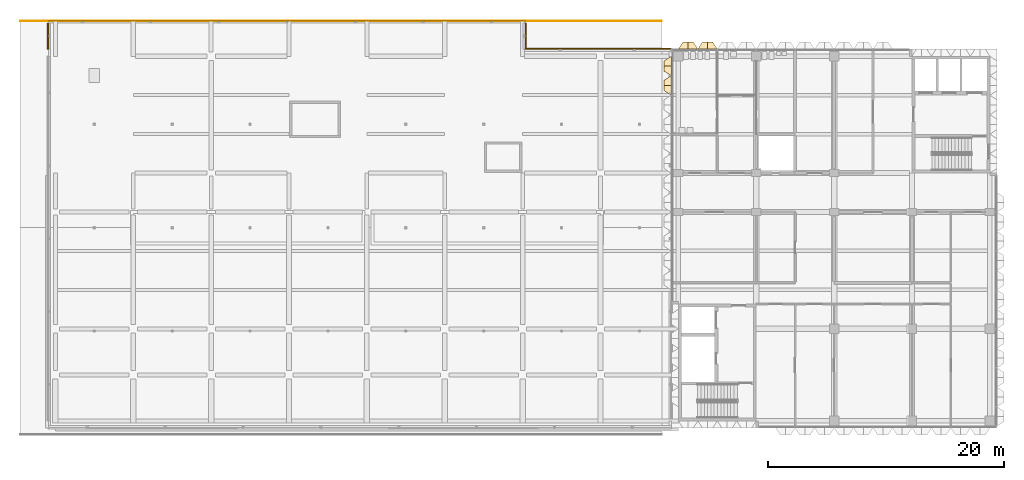
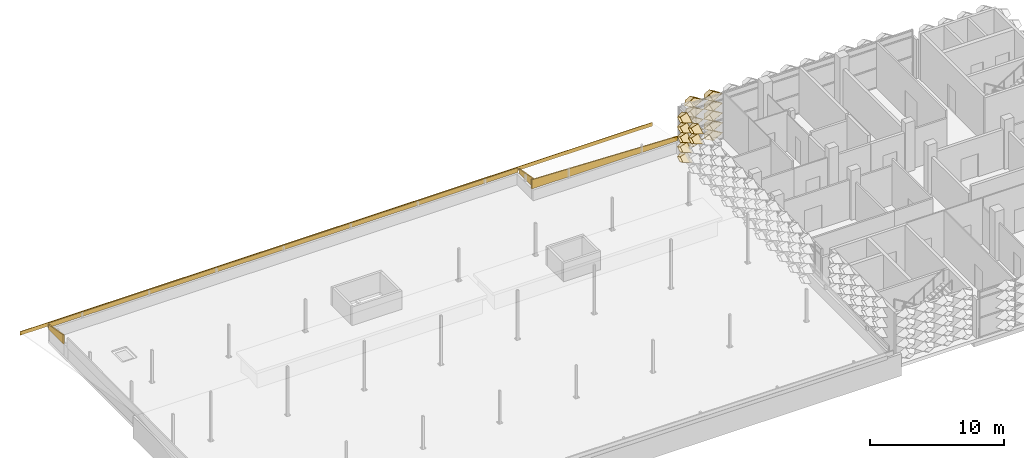
# One storey, part 27 of 39: 22 coverings.
"""IFC4 building model written with IfcOpenShell, lengths in metres."""

from ifc_helpers import new_model, entity, si_unit, direction, frame, frame_2d, origin, place, context, subcontext, project, spatial, polyline, rectangle, outline, extrude, material, layer, layer_set, type_object, element, save


model = new_model("IFC4")

# Units and contexts
model_context = context("Model", 3, precision=1e-05, world=origin(), true_north=direction((0.0, 1.0)))
body_context = subcontext(model_context, "Body", "Model", "MODEL_VIEW")
ifc_project = project(units=[si_unit("LENGTHUNIT", "METRE"), si_unit("AREAUNIT", "SQUARE_METRE"), si_unit("VOLUMEUNIT", "CUBIC_METRE"), si_unit("PLANEANGLEUNIT", "RADIAN"), si_unit("MASSUNIT", "GRAM", prefix="KILO")], contexts=[model_context])

# Site, building, storey
site_placement = place(None, origin())
site = spatial("IfcSite", under=ifc_project, at=site_placement, CompositionType="ELEMENT")
building_placement = place(site_placement, origin())
building = spatial("IfcBuilding", under=site, at=building_placement, Name="Lantern Court Research Institute", CompositionType="ELEMENT")
storey_placement = place(building_placement, frame((0.0, 0.0, 27.89990234375)))
storey = spatial("IfcBuildingStorey", under=building, at=storey_placement, Name="L06", CompositionType="ELEMENT", Elevation=27.89990234375)

# Coverings
ifc_material_1 = material(Name="Anodised aluminium", Category="aluminium")
ifc_layer_1 = layer(ifc_material_1, 0.01611328125)
ifc_layer_set_1 = layer_set([ifc_layer_1], Name="Anodised aluminium")
covering_type_1 = type_object("IfcCoveringType", Name="Fin cassette 1650 x 900 x 600 aluminium", PredefinedType="CLADDING", material=ifc_layer_set_1)
covering_1_placement = place(storey_placement, frame((53.625, 23.699951171875, 0.4501953125), z_axis=(0.0, 1.0, 0.0), x_axis=(-1.0, 0.0, 0.0)))
cartesian_point_1 = entity("IfcCartesianPoint", [0.824951171875, 0.0])
cartesian_point_2 = entity("IfcCartesianPoint", [0.79150390625, 0.0])
cartesian_point_3 = entity("IfcCartesianPoint", [0.44189453125, 0.0])
cartesian_point_4 = entity("IfcCartesianPoint", [0.43359375, 0.0])
element("IfcCovering", 1, at=covering_1_placement, inside=storey, type_object=covering_type_1, Name="Fin cassette V5N-L06 1.33", PredefinedType="CLADDING", context=body_context, shape_type="SweptSolid", body=[
    entity("IfcExtrudedAreaSolidTapered", entity("IfcArbitraryProfileDefWithVoids", "AREA", None, entity("IfcPolyline", [cartesian_point_1, entity("IfcCartesianPoint", [0.0, 0.449951171875]), entity("IfcCartesianPoint", [-0.824951171875, 0.0]), entity("IfcCartesianPoint", [0.0, -0.449951171875]), cartesian_point_1]), [entity("IfcPolyline", [cartesian_point_2, entity("IfcCartesianPoint", [0.0, 0.431884765625]), entity("IfcCartesianPoint", [-0.79150390625, 0.0]), entity("IfcCartesianPoint", [0.0, -0.431884765625]), cartesian_point_2])]), entity("IfcAxis2Placement3D", entity("IfcCartesianPoint", [0.0, 0.0, 0.0])), entity("IfcDirection", [0.0, 0.0, 1.0]), 0.60009765625, entity("IfcArbitraryProfileDefWithVoids", "AREA", None, entity("IfcPolyline", [cartesian_point_3, entity("IfcCartesianPoint", [0.0, 0.240966796875]), entity("IfcCartesianPoint", [-0.44189453125, 0.0]), entity("IfcCartesianPoint", [0.0, -0.240966796875]), cartesian_point_3]), [entity("IfcPolyline", [cartesian_point_4, entity("IfcCartesianPoint", [0.0, 0.236572265625]), entity("IfcCartesianPoint", [-0.43359375, 0.0]), entity("IfcCartesianPoint", [0.0, -0.236572265625]), cartesian_point_4])])),
])
covering_2_placement = place(storey_placement, frame((55.27490234375, 23.699951171875, 0.4501953125), z_axis=(0.0, 1.0, 0.0), x_axis=(-1.0, 0.0, 0.0)))
cartesian_point_5 = entity("IfcCartesianPoint", [0.824951171875, 0.0])
cartesian_point_6 = entity("IfcCartesianPoint", [0.79150390625, 0.0])
cartesian_point_7 = entity("IfcCartesianPoint", [0.44189453125, 0.0])
cartesian_point_8 = entity("IfcCartesianPoint", [0.43359375, 0.0])
element("IfcCovering", 2, at=covering_2_placement, inside=storey, type_object=covering_type_1, Name="Fin cassette V5N-L06 1.34", PredefinedType="CLADDING", context=body_context, shape_type="SweptSolid", body=[
    entity("IfcExtrudedAreaSolidTapered", entity("IfcArbitraryProfileDefWithVoids", "AREA", None, entity("IfcPolyline", [cartesian_point_5, entity("IfcCartesianPoint", [0.0, 0.449951171875]), entity("IfcCartesianPoint", [-0.824951171875, 0.0]), entity("IfcCartesianPoint", [0.0, -0.449951171875]), cartesian_point_5]), [entity("IfcPolyline", [cartesian_point_6, entity("IfcCartesianPoint", [0.0, 0.431884765625]), entity("IfcCartesianPoint", [-0.79150390625, 0.0]), entity("IfcCartesianPoint", [0.0, -0.431884765625]), cartesian_point_6])]), entity("IfcAxis2Placement3D", entity("IfcCartesianPoint", [0.0, 0.0, 0.0])), entity("IfcDirection", [0.0, 0.0, 1.0]), 0.60009765625, entity("IfcArbitraryProfileDefWithVoids", "AREA", None, entity("IfcPolyline", [cartesian_point_7, entity("IfcCartesianPoint", [0.0, 0.240966796875]), entity("IfcCartesianPoint", [-0.44189453125, 0.0]), entity("IfcCartesianPoint", [0.0, -0.240966796875]), cartesian_point_7]), [entity("IfcPolyline", [cartesian_point_8, entity("IfcCartesianPoint", [0.0, 0.236572265625]), entity("IfcCartesianPoint", [-0.43359375, 0.0]), entity("IfcCartesianPoint", [0.0, -0.236572265625]), cartesian_point_8])])),
])
covering_3_placement = place(storey_placement, frame((53.625, 23.699951171875, 1.35009765625), z_axis=(0.0, 1.0, 0.0), x_axis=(-1.0, 0.0, 0.0)))
cartesian_point_9 = entity("IfcCartesianPoint", [0.824951171875, 0.0])
cartesian_point_10 = entity("IfcCartesianPoint", [0.79150390625, 0.0])
cartesian_point_11 = entity("IfcCartesianPoint", [0.44189453125, 0.0])
cartesian_point_12 = entity("IfcCartesianPoint", [0.43359375, 0.0])
element("IfcCovering", 3, at=covering_3_placement, inside=storey, type_object=covering_type_1, Name="Fin cassette V5N-L06 2.33", PredefinedType="CLADDING", context=body_context, shape_type="SweptSolid", body=[
    entity("IfcExtrudedAreaSolidTapered", entity("IfcArbitraryProfileDefWithVoids", "AREA", None, entity("IfcPolyline", [cartesian_point_9, entity("IfcCartesianPoint", [0.0, 0.449951171875]), entity("IfcCartesianPoint", [-0.824951171875, 0.0]), entity("IfcCartesianPoint", [0.0, -0.449951171875]), cartesian_point_9]), [entity("IfcPolyline", [cartesian_point_10, entity("IfcCartesianPoint", [0.0, 0.431884765625]), entity("IfcCartesianPoint", [-0.79150390625, 0.0]), entity("IfcCartesianPoint", [0.0, -0.431884765625]), cartesian_point_10])]), entity("IfcAxis2Placement3D", entity("IfcCartesianPoint", [0.0, 0.0, 0.0])), entity("IfcDirection", [0.0, 0.0, 1.0]), 0.60009765625, entity("IfcArbitraryProfileDefWithVoids", "AREA", None, entity("IfcPolyline", [cartesian_point_11, entity("IfcCartesianPoint", [0.0, 0.240966796875]), entity("IfcCartesianPoint", [-0.44189453125, 0.0]), entity("IfcCartesianPoint", [0.0, -0.240966796875]), cartesian_point_11]), [entity("IfcPolyline", [cartesian_point_12, entity("IfcCartesianPoint", [0.0, 0.236572265625]), entity("IfcCartesianPoint", [-0.43359375, 0.0]), entity("IfcCartesianPoint", [0.0, -0.236572265625]), cartesian_point_12])])),
])
covering_4_placement = place(storey_placement, frame((55.27490234375, 23.699951171875, 1.35009765625), z_axis=(0.0, 1.0, 0.0), x_axis=(-1.0, 0.0, 0.0)))
cartesian_point_13 = entity("IfcCartesianPoint", [0.824951171875, 0.0])
cartesian_point_14 = entity("IfcCartesianPoint", [0.79150390625, 0.0])
cartesian_point_15 = entity("IfcCartesianPoint", [0.44189453125, 0.0])
cartesian_point_16 = entity("IfcCartesianPoint", [0.43359375, 0.0])
element("IfcCovering", 4, at=covering_4_placement, inside=storey, type_object=covering_type_1, Name="Fin cassette V5N-L06 2.34", PredefinedType="CLADDING", context=body_context, shape_type="SweptSolid", body=[
    entity("IfcExtrudedAreaSolidTapered", entity("IfcArbitraryProfileDefWithVoids", "AREA", None, entity("IfcPolyline", [cartesian_point_13, entity("IfcCartesianPoint", [0.0, 0.449951171875]), entity("IfcCartesianPoint", [-0.824951171875, 0.0]), entity("IfcCartesianPoint", [0.0, -0.449951171875]), cartesian_point_13]), [entity("IfcPolyline", [cartesian_point_14, entity("IfcCartesianPoint", [0.0, 0.431884765625]), entity("IfcCartesianPoint", [-0.79150390625, 0.0]), entity("IfcCartesianPoint", [0.0, -0.431884765625]), cartesian_point_14])]), entity("IfcAxis2Placement3D", entity("IfcCartesianPoint", [0.0, 0.0, 0.0])), entity("IfcDirection", [0.0, 0.0, 1.0]), 0.60009765625, entity("IfcArbitraryProfileDefWithVoids", "AREA", None, entity("IfcPolyline", [cartesian_point_15, entity("IfcCartesianPoint", [0.0, 0.240966796875]), entity("IfcCartesianPoint", [-0.44189453125, 0.0]), entity("IfcCartesianPoint", [0.0, -0.240966796875]), cartesian_point_15]), [entity("IfcPolyline", [cartesian_point_16, entity("IfcCartesianPoint", [0.0, 0.236572265625]), entity("IfcCartesianPoint", [-0.43359375, 0.0]), entity("IfcCartesianPoint", [0.0, -0.236572265625]), cartesian_point_16])])),
])
covering_5_placement = place(storey_placement, frame((53.625, 23.699951171875, 2.25), z_axis=(0.0, 1.0, 0.0), x_axis=(-1.0, 0.0, 0.0)))
cartesian_point_17 = entity("IfcCartesianPoint", [0.824951171875, 0.0])
cartesian_point_18 = entity("IfcCartesianPoint", [0.79150390625, 0.0])
cartesian_point_19 = entity("IfcCartesianPoint", [0.44189453125, 0.0])
cartesian_point_20 = entity("IfcCartesianPoint", [0.43359375, 0.0])
element("IfcCovering", 5, at=covering_5_placement, inside=storey, type_object=covering_type_1, Name="Fin cassette V5N-L06 3.33", PredefinedType="CLADDING", context=body_context, shape_type="SweptSolid", body=[
    entity("IfcExtrudedAreaSolidTapered", entity("IfcArbitraryProfileDefWithVoids", "AREA", None, entity("IfcPolyline", [cartesian_point_17, entity("IfcCartesianPoint", [0.0, 0.449951171875]), entity("IfcCartesianPoint", [-0.824951171875, 0.0]), entity("IfcCartesianPoint", [0.0, -0.449951171875]), cartesian_point_17]), [entity("IfcPolyline", [cartesian_point_18, entity("IfcCartesianPoint", [0.0, 0.431884765625]), entity("IfcCartesianPoint", [-0.79150390625, 0.0]), entity("IfcCartesianPoint", [0.0, -0.431884765625]), cartesian_point_18])]), entity("IfcAxis2Placement3D", entity("IfcCartesianPoint", [0.0, 0.0, 0.0])), entity("IfcDirection", [0.0, 0.0, 1.0]), 0.60009765625, entity("IfcArbitraryProfileDefWithVoids", "AREA", None, entity("IfcPolyline", [cartesian_point_19, entity("IfcCartesianPoint", [0.0, 0.240966796875]), entity("IfcCartesianPoint", [-0.44189453125, 0.0]), entity("IfcCartesianPoint", [0.0, -0.240966796875]), cartesian_point_19]), [entity("IfcPolyline", [cartesian_point_20, entity("IfcCartesianPoint", [0.0, 0.236572265625]), entity("IfcCartesianPoint", [-0.43359375, 0.0]), entity("IfcCartesianPoint", [0.0, -0.236572265625]), cartesian_point_20])])),
])
covering_6_placement = place(storey_placement, frame((55.27490234375, 23.699951171875, 2.25), z_axis=(0.0, 1.0, 0.0), x_axis=(-1.0, 0.0, 0.0)))
cartesian_point_21 = entity("IfcCartesianPoint", [0.824951171875, 0.0])
cartesian_point_22 = entity("IfcCartesianPoint", [0.79150390625, 0.0])
cartesian_point_23 = entity("IfcCartesianPoint", [0.44189453125, 0.0])
cartesian_point_24 = entity("IfcCartesianPoint", [0.43359375, 0.0])
element("IfcCovering", 6, at=covering_6_placement, inside=storey, type_object=covering_type_1, Name="Fin cassette V5N-L06 3.34", PredefinedType="CLADDING", context=body_context, shape_type="SweptSolid", body=[
    entity("IfcExtrudedAreaSolidTapered", entity("IfcArbitraryProfileDefWithVoids", "AREA", None, entity("IfcPolyline", [cartesian_point_21, entity("IfcCartesianPoint", [0.0, 0.449951171875]), entity("IfcCartesianPoint", [-0.824951171875, 0.0]), entity("IfcCartesianPoint", [0.0, -0.449951171875]), cartesian_point_21]), [entity("IfcPolyline", [cartesian_point_22, entity("IfcCartesianPoint", [0.0, 0.431884765625]), entity("IfcCartesianPoint", [-0.79150390625, 0.0]), entity("IfcCartesianPoint", [0.0, -0.431884765625]), cartesian_point_22])]), entity("IfcAxis2Placement3D", entity("IfcCartesianPoint", [0.0, 0.0, 0.0])), entity("IfcDirection", [0.0, 0.0, 1.0]), 0.60009765625, entity("IfcArbitraryProfileDefWithVoids", "AREA", None, entity("IfcPolyline", [cartesian_point_23, entity("IfcCartesianPoint", [0.0, 0.240966796875]), entity("IfcCartesianPoint", [-0.44189453125, 0.0]), entity("IfcCartesianPoint", [0.0, -0.240966796875]), cartesian_point_23]), [entity("IfcPolyline", [cartesian_point_24, entity("IfcCartesianPoint", [0.0, 0.236572265625]), entity("IfcCartesianPoint", [-0.43359375, 0.0]), entity("IfcCartesianPoint", [0.0, -0.236572265625]), cartesian_point_24])])),
])
covering_7_placement = place(storey_placement, frame((53.625, 23.699951171875, 3.150146484375), z_axis=(0.0, 1.0, 0.0), x_axis=(-1.0, 0.0, 0.0)))
cartesian_point_25 = entity("IfcCartesianPoint", [0.824951171875, 0.0])
cartesian_point_26 = entity("IfcCartesianPoint", [0.79150390625, 0.0])
cartesian_point_27 = entity("IfcCartesianPoint", [0.44189453125, 0.0])
cartesian_point_28 = entity("IfcCartesianPoint", [0.43359375, 0.0])
element("IfcCovering", 7, at=covering_7_placement, inside=storey, type_object=covering_type_1, Name="Fin cassette V5N-L06 4.33", PredefinedType="CLADDING", context=body_context, shape_type="SweptSolid", body=[
    entity("IfcExtrudedAreaSolidTapered", entity("IfcArbitraryProfileDefWithVoids", "AREA", None, entity("IfcPolyline", [cartesian_point_25, entity("IfcCartesianPoint", [0.0, 0.449951171875]), entity("IfcCartesianPoint", [-0.824951171875, 0.0]), entity("IfcCartesianPoint", [0.0, -0.449951171875]), cartesian_point_25]), [entity("IfcPolyline", [cartesian_point_26, entity("IfcCartesianPoint", [0.0, 0.431884765625]), entity("IfcCartesianPoint", [-0.79150390625, 0.0]), entity("IfcCartesianPoint", [0.0, -0.431884765625]), cartesian_point_26])]), entity("IfcAxis2Placement3D", entity("IfcCartesianPoint", [0.0, 0.0, 0.0])), entity("IfcDirection", [0.0, 0.0, 1.0]), 0.60009765625, entity("IfcArbitraryProfileDefWithVoids", "AREA", None, entity("IfcPolyline", [cartesian_point_27, entity("IfcCartesianPoint", [0.0, 0.240966796875]), entity("IfcCartesianPoint", [-0.44189453125, 0.0]), entity("IfcCartesianPoint", [0.0, -0.240966796875]), cartesian_point_27]), [entity("IfcPolyline", [cartesian_point_28, entity("IfcCartesianPoint", [0.0, 0.236572265625]), entity("IfcCartesianPoint", [-0.43359375, 0.0]), entity("IfcCartesianPoint", [0.0, -0.236572265625]), cartesian_point_28])])),
])
covering_8_placement = place(storey_placement, frame((55.27490234375, 23.699951171875, 3.150146484375), z_axis=(0.0, 1.0, 0.0), x_axis=(-1.0, 0.0, 0.0)))
cartesian_point_29 = entity("IfcCartesianPoint", [0.824951171875, 0.0])
cartesian_point_30 = entity("IfcCartesianPoint", [0.79150390625, 0.0])
cartesian_point_31 = entity("IfcCartesianPoint", [0.44189453125, 0.0])
cartesian_point_32 = entity("IfcCartesianPoint", [0.43359375, 0.0])
element("IfcCovering", 8, at=covering_8_placement, inside=storey, type_object=covering_type_1, Name="Fin cassette V5N-L06 4.34", PredefinedType="CLADDING", context=body_context, shape_type="SweptSolid", body=[
    entity("IfcExtrudedAreaSolidTapered", entity("IfcArbitraryProfileDefWithVoids", "AREA", None, entity("IfcPolyline", [cartesian_point_29, entity("IfcCartesianPoint", [0.0, 0.449951171875]), entity("IfcCartesianPoint", [-0.824951171875, 0.0]), entity("IfcCartesianPoint", [0.0, -0.449951171875]), cartesian_point_29]), [entity("IfcPolyline", [cartesian_point_30, entity("IfcCartesianPoint", [0.0, 0.431884765625]), entity("IfcCartesianPoint", [-0.79150390625, 0.0]), entity("IfcCartesianPoint", [0.0, -0.431884765625]), cartesian_point_30])]), entity("IfcAxis2Placement3D", entity("IfcCartesianPoint", [0.0, 0.0, 0.0])), entity("IfcDirection", [0.0, 0.0, 1.0]), 0.60009765625, entity("IfcArbitraryProfileDefWithVoids", "AREA", None, entity("IfcPolyline", [cartesian_point_31, entity("IfcCartesianPoint", [0.0, 0.240966796875]), entity("IfcCartesianPoint", [-0.44189453125, 0.0]), entity("IfcCartesianPoint", [0.0, -0.240966796875]), cartesian_point_31]), [entity("IfcPolyline", [cartesian_point_32, entity("IfcCartesianPoint", [0.0, 0.236572265625]), entity("IfcCartesianPoint", [-0.43359375, 0.0]), entity("IfcCartesianPoint", [0.0, -0.236572265625]), cartesian_point_32])])),
])
covering_9_placement = place(storey_placement, frame((53.625, 23.699951171875, 4.050048828125), z_axis=(0.0, 1.0, 0.0), x_axis=(-1.0, 0.0, 0.0)))
cartesian_point_33 = entity("IfcCartesianPoint", [0.824951171875, 0.0])
cartesian_point_34 = entity("IfcCartesianPoint", [0.79150390625, 0.0])
cartesian_point_35 = entity("IfcCartesianPoint", [0.44189453125, 0.0])
cartesian_point_36 = entity("IfcCartesianPoint", [0.43359375, 0.0])
element("IfcCovering", 9, at=covering_9_placement, inside=storey, type_object=covering_type_1, Name="Fin cassette V5N-L06 5.33", PredefinedType="CLADDING", context=body_context, shape_type="SweptSolid", body=[
    entity("IfcExtrudedAreaSolidTapered", entity("IfcArbitraryProfileDefWithVoids", "AREA", None, entity("IfcPolyline", [cartesian_point_33, entity("IfcCartesianPoint", [0.0, 0.449951171875]), entity("IfcCartesianPoint", [-0.824951171875, 0.0]), entity("IfcCartesianPoint", [0.0, -0.449951171875]), cartesian_point_33]), [entity("IfcPolyline", [cartesian_point_34, entity("IfcCartesianPoint", [0.0, 0.431884765625]), entity("IfcCartesianPoint", [-0.79150390625, 0.0]), entity("IfcCartesianPoint", [0.0, -0.431884765625]), cartesian_point_34])]), entity("IfcAxis2Placement3D", entity("IfcCartesianPoint", [0.0, 0.0, 0.0])), entity("IfcDirection", [0.0, 0.0, 1.0]), 0.60009765625, entity("IfcArbitraryProfileDefWithVoids", "AREA", None, entity("IfcPolyline", [cartesian_point_35, entity("IfcCartesianPoint", [0.0, 0.240966796875]), entity("IfcCartesianPoint", [-0.44189453125, 0.0]), entity("IfcCartesianPoint", [0.0, -0.240966796875]), cartesian_point_35]), [entity("IfcPolyline", [cartesian_point_36, entity("IfcCartesianPoint", [0.0, 0.236572265625]), entity("IfcCartesianPoint", [-0.43359375, 0.0]), entity("IfcCartesianPoint", [0.0, -0.236572265625]), cartesian_point_36])])),
])
covering_10_placement = place(storey_placement, frame((55.27490234375, 23.699951171875, 4.050048828125), z_axis=(0.0, 1.0, 0.0), x_axis=(-1.0, 0.0, 0.0)))
cartesian_point_37 = entity("IfcCartesianPoint", [0.824951171875, 0.0])
cartesian_point_38 = entity("IfcCartesianPoint", [0.79150390625, 0.0])
cartesian_point_39 = entity("IfcCartesianPoint", [0.44189453125, 0.0])
cartesian_point_40 = entity("IfcCartesianPoint", [0.43359375, 0.0])
element("IfcCovering", 10, at=covering_10_placement, inside=storey, type_object=covering_type_1, Name="Fin cassette V5N-L06 5.34", PredefinedType="CLADDING", context=body_context, shape_type="SweptSolid", body=[
    entity("IfcExtrudedAreaSolidTapered", entity("IfcArbitraryProfileDefWithVoids", "AREA", None, entity("IfcPolyline", [cartesian_point_37, entity("IfcCartesianPoint", [0.0, 0.449951171875]), entity("IfcCartesianPoint", [-0.824951171875, 0.0]), entity("IfcCartesianPoint", [0.0, -0.449951171875]), cartesian_point_37]), [entity("IfcPolyline", [cartesian_point_38, entity("IfcCartesianPoint", [0.0, 0.431884765625]), entity("IfcCartesianPoint", [-0.79150390625, 0.0]), entity("IfcCartesianPoint", [0.0, -0.431884765625]), cartesian_point_38])]), entity("IfcAxis2Placement3D", entity("IfcCartesianPoint", [0.0, 0.0, 0.0])), entity("IfcDirection", [0.0, 0.0, 1.0]), 0.60009765625, entity("IfcArbitraryProfileDefWithVoids", "AREA", None, entity("IfcPolyline", [cartesian_point_39, entity("IfcCartesianPoint", [0.0, 0.240966796875]), entity("IfcCartesianPoint", [-0.44189453125, 0.0]), entity("IfcCartesianPoint", [0.0, -0.240966796875]), cartesian_point_39]), [entity("IfcPolyline", [cartesian_point_40, entity("IfcCartesianPoint", [0.0, 0.236572265625]), entity("IfcCartesianPoint", [-0.43359375, 0.0]), entity("IfcCartesianPoint", [0.0, -0.236572265625]), cartesian_point_40])])),
])
covering_11_placement = place(storey_placement, frame((52.199951171875, 22.27490234375, 0.4501953125), z_axis=(-1.0, 0.0, 0.0), x_axis=(0.0, -1.0, 0.0)))
cartesian_point_41 = entity("IfcCartesianPoint", [0.824951171875, 0.0])
cartesian_point_42 = entity("IfcCartesianPoint", [0.79150390625, 0.0])
cartesian_point_43 = entity("IfcCartesianPoint", [0.44189453125, 0.0])
cartesian_point_44 = entity("IfcCartesianPoint", [0.43359375, 0.0])
element("IfcCovering", 11, at=covering_11_placement, inside=storey, type_object=covering_type_1, Name="Fin cassette V5W-L06 1.14", PredefinedType="CLADDING", context=body_context, shape_type="SweptSolid", body=[
    entity("IfcExtrudedAreaSolidTapered", entity("IfcArbitraryProfileDefWithVoids", "AREA", None, entity("IfcPolyline", [cartesian_point_41, entity("IfcCartesianPoint", [0.0, 0.449951171875]), entity("IfcCartesianPoint", [-0.824951171875, 0.0]), entity("IfcCartesianPoint", [0.0, -0.449951171875]), cartesian_point_41]), [entity("IfcPolyline", [cartesian_point_42, entity("IfcCartesianPoint", [0.0, 0.431884765625]), entity("IfcCartesianPoint", [-0.79150390625, 0.0]), entity("IfcCartesianPoint", [0.0, -0.431884765625]), cartesian_point_42])]), entity("IfcAxis2Placement3D", entity("IfcCartesianPoint", [0.0, 0.0, 0.0])), entity("IfcDirection", [0.0, 0.0, 1.0]), 0.60009765625, entity("IfcArbitraryProfileDefWithVoids", "AREA", None, entity("IfcPolyline", [cartesian_point_43, entity("IfcCartesianPoint", [0.0, 0.240966796875]), entity("IfcCartesianPoint", [-0.44189453125, 0.0]), entity("IfcCartesianPoint", [0.0, -0.240966796875]), cartesian_point_43]), [entity("IfcPolyline", [cartesian_point_44, entity("IfcCartesianPoint", [0.0, 0.236572265625]), entity("IfcCartesianPoint", [-0.43359375, 0.0]), entity("IfcCartesianPoint", [0.0, -0.236572265625]), cartesian_point_44])])),
])
covering_12_placement = place(storey_placement, frame((52.199951171875, 22.27490234375, 1.35009765625), z_axis=(-1.0, 0.0, 0.0), x_axis=(0.0, -1.0, 0.0)))
cartesian_point_45 = entity("IfcCartesianPoint", [0.824951171875, 0.0])
cartesian_point_46 = entity("IfcCartesianPoint", [0.79150390625, 0.0])
cartesian_point_47 = entity("IfcCartesianPoint", [0.44189453125, 0.0])
cartesian_point_48 = entity("IfcCartesianPoint", [0.43359375, 0.0])
element("IfcCovering", 12, at=covering_12_placement, inside=storey, type_object=covering_type_1, Name="Fin cassette V5W-L06 2.14", PredefinedType="CLADDING", context=body_context, shape_type="SweptSolid", body=[
    entity("IfcExtrudedAreaSolidTapered", entity("IfcArbitraryProfileDefWithVoids", "AREA", None, entity("IfcPolyline", [cartesian_point_45, entity("IfcCartesianPoint", [0.0, 0.449951171875]), entity("IfcCartesianPoint", [-0.824951171875, 0.0]), entity("IfcCartesianPoint", [0.0, -0.449951171875]), cartesian_point_45]), [entity("IfcPolyline", [cartesian_point_46, entity("IfcCartesianPoint", [0.0, 0.431884765625]), entity("IfcCartesianPoint", [-0.79150390625, 0.0]), entity("IfcCartesianPoint", [0.0, -0.431884765625]), cartesian_point_46])]), entity("IfcAxis2Placement3D", entity("IfcCartesianPoint", [0.0, 0.0, 0.0])), entity("IfcDirection", [0.0, 0.0, 1.0]), 0.60009765625, entity("IfcArbitraryProfileDefWithVoids", "AREA", None, entity("IfcPolyline", [cartesian_point_47, entity("IfcCartesianPoint", [0.0, 0.240966796875]), entity("IfcCartesianPoint", [-0.44189453125, 0.0]), entity("IfcCartesianPoint", [0.0, -0.240966796875]), cartesian_point_47]), [entity("IfcPolyline", [cartesian_point_48, entity("IfcCartesianPoint", [0.0, 0.236572265625]), entity("IfcCartesianPoint", [-0.43359375, 0.0]), entity("IfcCartesianPoint", [0.0, -0.236572265625]), cartesian_point_48])])),
])
covering_13_placement = place(storey_placement, frame((52.199951171875, 22.27490234375, 2.25), z_axis=(-1.0, 0.0, 0.0), x_axis=(0.0, -1.0, 0.0)))
cartesian_point_49 = entity("IfcCartesianPoint", [0.824951171875, 0.0])
cartesian_point_50 = entity("IfcCartesianPoint", [0.79150390625, 0.0])
cartesian_point_51 = entity("IfcCartesianPoint", [0.44189453125, 0.0])
cartesian_point_52 = entity("IfcCartesianPoint", [0.43359375, 0.0])
element("IfcCovering", 13, at=covering_13_placement, inside=storey, type_object=covering_type_1, Name="Fin cassette V5W-L06 3.14", PredefinedType="CLADDING", context=body_context, shape_type="SweptSolid", body=[
    entity("IfcExtrudedAreaSolidTapered", entity("IfcArbitraryProfileDefWithVoids", "AREA", None, entity("IfcPolyline", [cartesian_point_49, entity("IfcCartesianPoint", [0.0, 0.449951171875]), entity("IfcCartesianPoint", [-0.824951171875, 0.0]), entity("IfcCartesianPoint", [0.0, -0.449951171875]), cartesian_point_49]), [entity("IfcPolyline", [cartesian_point_50, entity("IfcCartesianPoint", [0.0, 0.431884765625]), entity("IfcCartesianPoint", [-0.79150390625, 0.0]), entity("IfcCartesianPoint", [0.0, -0.431884765625]), cartesian_point_50])]), entity("IfcAxis2Placement3D", entity("IfcCartesianPoint", [0.0, 0.0, 0.0])), entity("IfcDirection", [0.0, 0.0, 1.0]), 0.60009765625, entity("IfcArbitraryProfileDefWithVoids", "AREA", None, entity("IfcPolyline", [cartesian_point_51, entity("IfcCartesianPoint", [0.0, 0.240966796875]), entity("IfcCartesianPoint", [-0.44189453125, 0.0]), entity("IfcCartesianPoint", [0.0, -0.240966796875]), cartesian_point_51]), [entity("IfcPolyline", [cartesian_point_52, entity("IfcCartesianPoint", [0.0, 0.236572265625]), entity("IfcCartesianPoint", [-0.43359375, 0.0]), entity("IfcCartesianPoint", [0.0, -0.236572265625]), cartesian_point_52])])),
])
covering_14_placement = place(storey_placement, frame((52.199951171875, 20.625, 3.150146484375), z_axis=(-1.0, 0.0, 0.0), x_axis=(0.0, -1.0, 0.0)))
cartesian_point_53 = entity("IfcCartesianPoint", [0.824951171875, 0.0])
cartesian_point_54 = entity("IfcCartesianPoint", [0.79150390625, 0.0])
cartesian_point_55 = entity("IfcCartesianPoint", [0.44189453125, 0.0])
cartesian_point_56 = entity("IfcCartesianPoint", [0.43359375, 0.0])
element("IfcCovering", 14, at=covering_14_placement, inside=storey, type_object=covering_type_1, Name="Fin cassette V5W-L06 4.13", PredefinedType="CLADDING", context=body_context, shape_type="SweptSolid", body=[
    entity("IfcExtrudedAreaSolidTapered", entity("IfcArbitraryProfileDefWithVoids", "AREA", None, entity("IfcPolyline", [cartesian_point_53, entity("IfcCartesianPoint", [0.0, 0.449951171875]), entity("IfcCartesianPoint", [-0.824951171875, 0.0]), entity("IfcCartesianPoint", [0.0, -0.449951171875]), cartesian_point_53]), [entity("IfcPolyline", [cartesian_point_54, entity("IfcCartesianPoint", [0.0, 0.431884765625]), entity("IfcCartesianPoint", [-0.79150390625, 0.0]), entity("IfcCartesianPoint", [0.0, -0.431884765625]), cartesian_point_54])]), entity("IfcAxis2Placement3D", entity("IfcCartesianPoint", [0.0, 0.0, 0.0])), entity("IfcDirection", [0.0, 0.0, 1.0]), 0.60009765625, entity("IfcArbitraryProfileDefWithVoids", "AREA", None, entity("IfcPolyline", [cartesian_point_55, entity("IfcCartesianPoint", [0.0, 0.240966796875]), entity("IfcCartesianPoint", [-0.44189453125, 0.0]), entity("IfcCartesianPoint", [0.0, -0.240966796875]), cartesian_point_55]), [entity("IfcPolyline", [cartesian_point_56, entity("IfcCartesianPoint", [0.0, 0.236572265625]), entity("IfcCartesianPoint", [-0.43359375, 0.0]), entity("IfcCartesianPoint", [0.0, -0.236572265625]), cartesian_point_56])])),
])
covering_15_placement = place(storey_placement, frame((52.199951171875, 22.27490234375, 3.150146484375), z_axis=(-1.0, 0.0, 0.0), x_axis=(0.0, -1.0, 0.0)))
cartesian_point_57 = entity("IfcCartesianPoint", [0.824951171875, 0.0])
cartesian_point_58 = entity("IfcCartesianPoint", [0.79150390625, 0.0])
cartesian_point_59 = entity("IfcCartesianPoint", [0.44189453125, 0.0])
cartesian_point_60 = entity("IfcCartesianPoint", [0.43359375, 0.0])
element("IfcCovering", 15, at=covering_15_placement, inside=storey, type_object=covering_type_1, Name="Fin cassette V5W-L06 4.14", PredefinedType="CLADDING", context=body_context, shape_type="SweptSolid", body=[
    entity("IfcExtrudedAreaSolidTapered", entity("IfcArbitraryProfileDefWithVoids", "AREA", None, entity("IfcPolyline", [cartesian_point_57, entity("IfcCartesianPoint", [0.0, 0.449951171875]), entity("IfcCartesianPoint", [-0.824951171875, 0.0]), entity("IfcCartesianPoint", [0.0, -0.449951171875]), cartesian_point_57]), [entity("IfcPolyline", [cartesian_point_58, entity("IfcCartesianPoint", [0.0, 0.431884765625]), entity("IfcCartesianPoint", [-0.79150390625, 0.0]), entity("IfcCartesianPoint", [0.0, -0.431884765625]), cartesian_point_58])]), entity("IfcAxis2Placement3D", entity("IfcCartesianPoint", [0.0, 0.0, 0.0])), entity("IfcDirection", [0.0, 0.0, 1.0]), 0.60009765625, entity("IfcArbitraryProfileDefWithVoids", "AREA", None, entity("IfcPolyline", [cartesian_point_59, entity("IfcCartesianPoint", [0.0, 0.240966796875]), entity("IfcCartesianPoint", [-0.44189453125, 0.0]), entity("IfcCartesianPoint", [0.0, -0.240966796875]), cartesian_point_59]), [entity("IfcPolyline", [cartesian_point_60, entity("IfcCartesianPoint", [0.0, 0.236572265625]), entity("IfcCartesianPoint", [-0.43359375, 0.0]), entity("IfcCartesianPoint", [0.0, -0.236572265625]), cartesian_point_60])])),
])
covering_16_placement = place(storey_placement, frame((52.199951171875, 20.625, 4.050048828125), z_axis=(-1.0, 0.0, 0.0), x_axis=(0.0, -1.0, 0.0)))
cartesian_point_61 = entity("IfcCartesianPoint", [0.824951171875, 0.0])
cartesian_point_62 = entity("IfcCartesianPoint", [0.79150390625, 0.0])
cartesian_point_63 = entity("IfcCartesianPoint", [0.44189453125, 0.0])
cartesian_point_64 = entity("IfcCartesianPoint", [0.43359375, 0.0])
element("IfcCovering", 16, at=covering_16_placement, inside=storey, type_object=covering_type_1, Name="Fin cassette V5W-L06 5.13", PredefinedType="CLADDING", context=body_context, shape_type="SweptSolid", body=[
    entity("IfcExtrudedAreaSolidTapered", entity("IfcArbitraryProfileDefWithVoids", "AREA", None, entity("IfcPolyline", [cartesian_point_61, entity("IfcCartesianPoint", [0.0, 0.449951171875]), entity("IfcCartesianPoint", [-0.824951171875, 0.0]), entity("IfcCartesianPoint", [0.0, -0.449951171875]), cartesian_point_61]), [entity("IfcPolyline", [cartesian_point_62, entity("IfcCartesianPoint", [0.0, 0.431884765625]), entity("IfcCartesianPoint", [-0.79150390625, 0.0]), entity("IfcCartesianPoint", [0.0, -0.431884765625]), cartesian_point_62])]), entity("IfcAxis2Placement3D", entity("IfcCartesianPoint", [0.0, 0.0, 0.0])), entity("IfcDirection", [0.0, 0.0, 1.0]), 0.60009765625, entity("IfcArbitraryProfileDefWithVoids", "AREA", None, entity("IfcPolyline", [cartesian_point_63, entity("IfcCartesianPoint", [0.0, 0.240966796875]), entity("IfcCartesianPoint", [-0.44189453125, 0.0]), entity("IfcCartesianPoint", [0.0, -0.240966796875]), cartesian_point_63]), [entity("IfcPolyline", [cartesian_point_64, entity("IfcCartesianPoint", [0.0, 0.236572265625]), entity("IfcCartesianPoint", [-0.43359375, 0.0]), entity("IfcCartesianPoint", [0.0, -0.236572265625]), cartesian_point_64])])),
])
covering_17_placement = place(storey_placement, frame((52.199951171875, 22.27490234375, 4.050048828125), z_axis=(-1.0, 0.0, 0.0), x_axis=(0.0, -1.0, 0.0)))
cartesian_point_65 = entity("IfcCartesianPoint", [0.824951171875, 0.0])
cartesian_point_66 = entity("IfcCartesianPoint", [0.79150390625, 0.0])
cartesian_point_67 = entity("IfcCartesianPoint", [0.44189453125, 0.0])
cartesian_point_68 = entity("IfcCartesianPoint", [0.43359375, 0.0])
element("IfcCovering", 17, at=covering_17_placement, inside=storey, type_object=covering_type_1, Name="Fin cassette V5W-L06 5.14", PredefinedType="CLADDING", context=body_context, shape_type="SweptSolid", body=[
    entity("IfcExtrudedAreaSolidTapered", entity("IfcArbitraryProfileDefWithVoids", "AREA", None, entity("IfcPolyline", [cartesian_point_65, entity("IfcCartesianPoint", [0.0, 0.449951171875]), entity("IfcCartesianPoint", [-0.824951171875, 0.0]), entity("IfcCartesianPoint", [0.0, -0.449951171875]), cartesian_point_65]), [entity("IfcPolyline", [cartesian_point_66, entity("IfcCartesianPoint", [0.0, 0.431884765625]), entity("IfcCartesianPoint", [-0.79150390625, 0.0]), entity("IfcCartesianPoint", [0.0, -0.431884765625]), cartesian_point_66])]), entity("IfcAxis2Placement3D", entity("IfcCartesianPoint", [0.0, 0.0, 0.0])), entity("IfcDirection", [0.0, 0.0, 1.0]), 0.60009765625, entity("IfcArbitraryProfileDefWithVoids", "AREA", None, entity("IfcPolyline", [cartesian_point_67, entity("IfcCartesianPoint", [0.0, 0.240966796875]), entity("IfcCartesianPoint", [-0.44189453125, 0.0]), entity("IfcCartesianPoint", [0.0, -0.240966796875]), cartesian_point_67]), [entity("IfcPolyline", [cartesian_point_68, entity("IfcCartesianPoint", [0.0, 0.236572265625]), entity("IfcCartesianPoint", [-0.43359375, 0.0]), entity("IfcCartesianPoint", [0.0, -0.236572265625]), cartesian_point_68])])),
])
ifc_material_2 = material(Name="Aluminium composite panel with mineral wool insulation", Category="aluminium")
ifc_layer_2 = layer(ifc_material_2, 0.10009765625)
ifc_layer_set_2 = layer_set([ifc_layer_2], Name="Aluminium composite panel with mineral wool insulation")
covering_type_2 = type_object("IfcCoveringType", Name="Parapet cornice strip 100 aluminium composite", PredefinedType="CLADDING", material=ifc_layer_set_2)
covering_18_placement = place(storey_placement, frame((52.199951171875, 23.675048828125, -27.89990234375), z_axis=(0.0, 1.0, 0.0), x_axis=(-1.0, 0.0, 0.0)))
element("IfcCovering", 18, at=covering_18_placement, inside=storey, type_object=covering_type_2, Name="Parapet cornice strip V4 4", PredefinedType="CLADDING", context=body_context, shape_type="SweptSolid", body=[
    extrude(outline(polyline([(0.0, 29.0), (12.550048828125, 29.0), (12.550048828125, 29.82958984375), (0.0, 29.388671875), (0.0, 29.0)])), origin(), (0.0, 0.0, 1.0), 0.10009765625),
])
covering_19_placement = place(storey_placement, frame((39.824951171875, 23.699951171875, -27.89990234375), z_axis=(1.0, 0.0, 0.0), x_axis=(0.0, 1.0, 0.0)))
element("IfcCovering", 19, at=covering_19_placement, inside=storey, type_object=covering_type_2, Name="Parapet cornice strip V4 5", PredefinedType="CLADDING", context=body_context, shape_type="SweptSolid", body=[
    extrude(outline(polyline([(0.0, 29.0), (2.199951171875, 29.0), (2.199951171875, 29.424072265625), (0.0, 29.81201171875), (0.0, 29.0)])), origin(), (0.0, 0.0, 1.0), 0.10009765625),
])
covering_20_placement = place(storey_placement, frame((39.85009765625, 26.074951171875, -27.89990234375), z_axis=(0.0, 1.0, 0.0), x_axis=(-1.0, 0.0, 0.0)))
element("IfcCovering", 20, at=covering_20_placement, inside=storey, type_object=covering_type_2, Name="Parapet cornice strip V4 6", PredefinedType="CLADDING", context=body_context, shape_type="SweptSolid", body=[
    extrude(outline(polyline([(0.0, 29.0), (40.449951171875, 29.0), (40.449951171875, 29.406494140625), (0.0, 29.406494140625), (0.0, 29.0)])), origin(), (0.0, 0.0, 1.0), 0.10009765625),
])
covering_21_placement = place(storey_placement, frame((-0.574951171875, 25.89990234375, -27.89990234375), z_axis=(-1.0, 0.0, 0.0), x_axis=(0.0, -1.0, 0.0)))
element("IfcCovering", 21, at=covering_21_placement, inside=storey, type_object=covering_type_2, Name="Parapet cornice strip V4 7", PredefinedType="CLADDING", context=body_context, shape_type="SweptSolid", body=[
    extrude(outline(polyline([(0.0, 29.0), (2.199951171875, 29.0), (2.199951171875, 29.81201171875), (0.0, 29.424072265625), (0.0, 29.0)])), origin(), (0.0, 0.0, 1.0), 0.10009765625),
])
ifc_material_3 = material(Name="Anodised aluminium", Category="aluminium")
ifc_layer_3 = layer(ifc_material_3, 0.030029296875)
ifc_layer_set_3 = layer_set([ifc_layer_3], Name="Anodised aluminium")
covering_type_3 = type_object("IfcCoveringType", Name="Roof fascia 30 x 300 aluminium", PredefinedType="CLADDING", material=ifc_layer_set_3)
covering_22_placement = place(storey_placement, frame((-3.0, 26.094970703125, 1.25), z_axis=(0.0, 0.0, 1.0), x_axis=(1.0, 0.0, 0.0)))
element("IfcCovering", 22, at=covering_22_placement, inside=storey, type_object=covering_type_3, Name="Roof fascia V4 N", PredefinedType="CLADDING", context=body_context, shape_type="SweptSolid", body=[
    extrude(rectangle(XDim=54.39990234375, YDim=0.030029296875, at=frame_2d((27.199951171875, 0.0))), origin(), (0.0, 0.0, 1.0), 0.340087890625),
])

save(model, "model.ifc")
